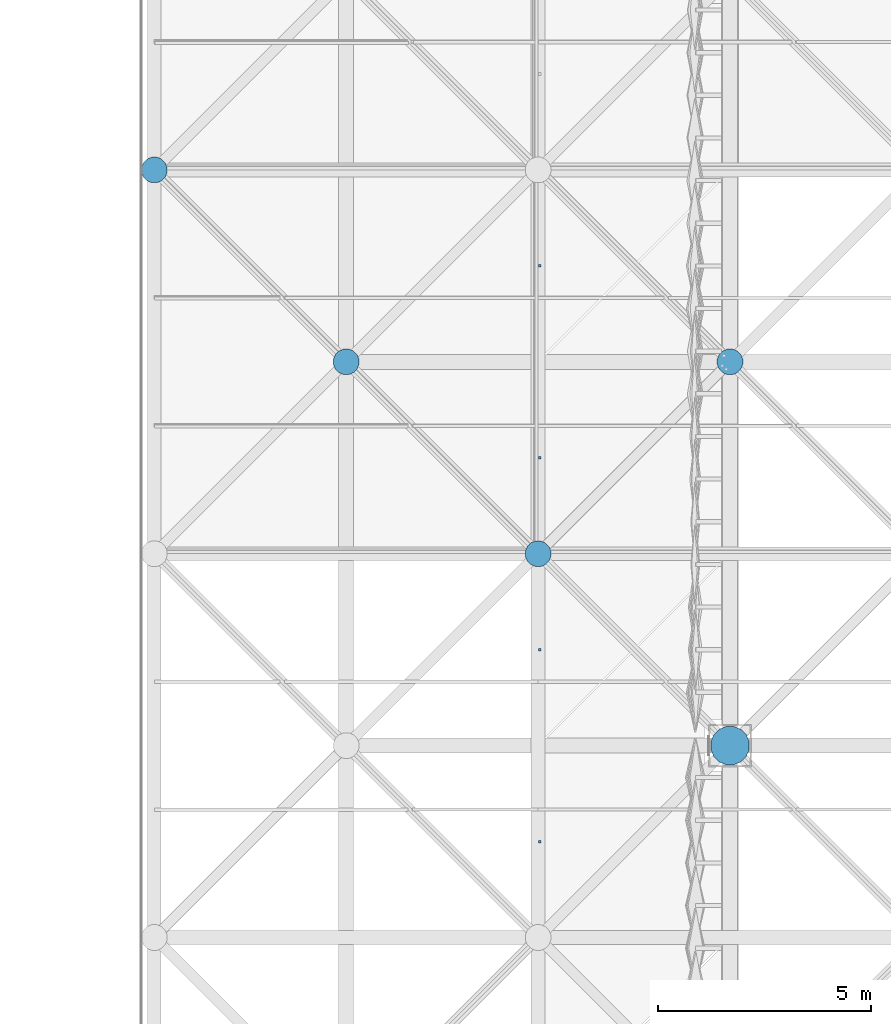
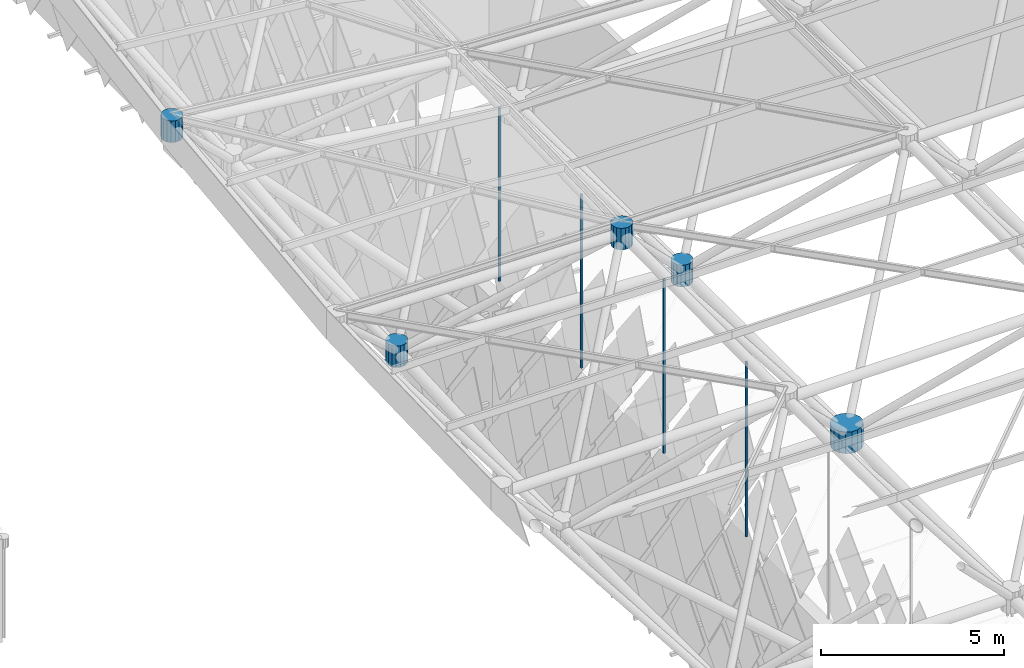
# One storey, part 294 of 437: 9 discrete accessories.
"""IFC4 building model written with IfcOpenShell, lengths in metres."""

from ifc_helpers import new_model, si_unit, direction, frame, origin, place, context, subcontext, project, spatial, polyline, outline, extrude, material, type_object, element, save


model = new_model("IFC4")

# Units and contexts
model_context = context("Model", 3, precision=1e-05, world=origin(), true_north=direction((0.0, 1.0)))
body_context = subcontext(model_context, "Body", "Model", "MODEL_VIEW")
ifc_project = project(units=[si_unit("LENGTHUNIT", "METRE"), si_unit("AREAUNIT", "SQUARE_METRE"), si_unit("VOLUMEUNIT", "CUBIC_METRE"), si_unit("PLANEANGLEUNIT", "RADIAN"), si_unit("MASSUNIT", "GRAM", prefix="KILO")], contexts=[model_context])

# Site, building, storey
site_placement = place(None, origin())
site = spatial("IfcSite", under=ifc_project, at=site_placement, CompositionType="ELEMENT")
building_placement = place(site_placement, origin())
building = spatial("IfcBuilding", under=site, at=building_placement, Name="Opaline Strait Convention Centre", CompositionType="ELEMENT")
storey_placement = place(building_placement, frame((0.0, 0.0, 11.5)))
storey = spatial("IfcBuildingStorey", under=building, at=storey_placement, Name="L02", CompositionType="ELEMENT", Elevation=11.5)

# Discrete accessories
ifc_material_1 = material(Name="Steel Q355B", Category="steel")
discrete_accessory_type_1 = type_object("IfcDiscreteAccessoryType", Name="Soffit hanger 60x60 steel", PredefinedType="BRACKET", material=ifc_material_1)
discrete_accessory_1_placement = place(storey_placement, frame((0.0, 0.0, 11.994384765625)))
element("IfcDiscreteAccessory", 1, at=discrete_accessory_1_placement, inside=storey, type_object=discrete_accessory_type_1, Name="Soffit hanger", PredefinedType="BRACKET", context=body_context, shape_type="SweptSolid", body=[
    extrude(outline(polyline([(94.5048828125, 105.719970703125), (94.56494140625, 105.719970703125), (94.56494140625, 105.780029296875), (94.5048828125, 105.780029296875), (94.5048828125, 105.719970703125)])), origin(), (0.0, 0.0, 1.0), 5.8310546875),
])
discrete_accessory_2_placement = place(storey_placement, frame((0.0, 0.0, 12.051513671875)))
element("IfcDiscreteAccessory", 2, at=discrete_accessory_2_placement, inside=storey, type_object=discrete_accessory_type_1, Name="Soffit hanger", PredefinedType="BRACKET", context=body_context, shape_type="SweptSolid", body=[
    extrude(outline(polyline([(94.5048828125, 110.219970703125), (94.56494140625, 110.219970703125), (94.56494140625, 110.280029296875), (94.5048828125, 110.280029296875), (94.5048828125, 110.219970703125)])), origin(), (0.0, 0.0, 1.0), 5.806640625),
])
discrete_accessory_3_placement = place(storey_placement, frame((0.0, 0.0, 12.163818359375)))
element("IfcDiscreteAccessory", 3, at=discrete_accessory_3_placement, inside=storey, type_object=discrete_accessory_type_1, Name="Soffit hanger", PredefinedType="BRACKET", context=body_context, shape_type="SweptSolid", body=[
    extrude(outline(polyline([(94.5048828125, 114.719970703125), (94.56494140625, 114.719970703125), (94.56494140625, 114.780029296875), (94.5048828125, 114.780029296875), (94.5048828125, 114.719970703125)])), origin(), (0.0, 0.0, 1.0), 5.794677734375),
])
discrete_accessory_4_placement = place(storey_placement, frame((0.0, 0.0, 12.32763671875)))
element("IfcDiscreteAccessory", 4, at=discrete_accessory_4_placement, inside=storey, type_object=discrete_accessory_type_1, Name="Soffit hanger", PredefinedType="BRACKET", context=body_context, shape_type="SweptSolid", body=[
    extrude(outline(polyline([(94.5048828125, 119.219970703125), (94.56494140625, 119.219970703125), (94.56494140625, 119.280029296875), (94.5048828125, 119.280029296875), (94.5048828125, 119.219970703125)])), origin(), (0.0, 0.0, 1.0), 5.799072265625),
])
ifc_material_2 = material(Name="Cast steel ZG300-500H (300 MPa)", Category="steel")
discrete_accessory_type_2 = type_object("IfcDiscreteAccessoryType", Name="Space frame bearing node hub D900", PredefinedType="USERDEFINED", material=ifc_material_2)
discrete_accessory_5_placement = place(storey_placement, frame((0.0, 0.0, 12.139892578125)))
element("IfcDiscreteAccessory", 5, at=discrete_accessory_5_placement, inside=storey, type_object=discrete_accessory_type_2, Name="Bottom node 2/8", ObjectType="NODE HUB", PredefinedType="USERDEFINED", context=body_context, shape_type="SweptSolid", body=[
    extrude(outline(polyline([(99.449951171875, 108.089599609375), (99.381591796875, 108.2548828125), (99.2548828125, 108.381591796875), (99.089599609375, 108.449951171875), (98.910400390625, 108.449951171875), (98.7451171875, 108.381591796875), (98.618408203125, 108.2548828125), (98.550048828125, 108.089599609375), (98.550048828125, 107.910400390625), (98.618408203125, 107.7451171875), (98.7451171875, 107.618408203125), (98.910400390625, 107.550048828125), (99.089599609375, 107.550048828125), (99.2548828125, 107.618408203125), (99.381591796875, 107.7451171875), (99.449951171875, 107.910400390625), (99.449951171875, 108.089599609375)])), origin(), (0.0, 0.0, 1.0), 0.72021484375),
])
discrete_accessory_type_3 = type_object("IfcDiscreteAccessoryType", Name="Space frame node hub D600", PredefinedType="USERDEFINED", material=ifc_material_2)
discrete_accessory_6_placement = place(storey_placement, frame((0.0, 0.0, 18.951416015625)))
element("IfcDiscreteAccessory", 6, at=discrete_accessory_6_placement, inside=storey, type_object=discrete_accessory_type_3, Name="Top node 1/10", ObjectType="NODE HUB", PredefinedType="USERDEFINED", context=body_context, shape_type="SweptSolid", body=[
    extrude(outline(polyline([(85.800048828125, 121.559814453125), (85.75439453125, 121.669921875), (85.669921875, 121.75439453125), (85.559814453125, 121.800048828125), (85.440185546875, 121.800048828125), (85.330078125, 121.75439453125), (85.24560546875, 121.669921875), (85.199951171875, 121.559814453125), (85.199951171875, 121.440185546875), (85.24560546875, 121.330078125), (85.330078125, 121.24560546875), (85.440185546875, 121.199951171875), (85.559814453125, 121.199951171875), (85.669921875, 121.24560546875), (85.75439453125, 121.330078125), (85.800048828125, 121.440185546875), (85.800048828125, 121.559814453125)])), origin(), (0.0, 0.0, 1.0), 0.719970703125),
])
discrete_accessory_7_placement = place(storey_placement, frame((0.0, 0.0, 17.677001953125)))
element("IfcDiscreteAccessory", 7, at=discrete_accessory_7_placement, inside=storey, type_object=discrete_accessory_type_3, Name="Top node 2/9", ObjectType="NODE HUB", PredefinedType="USERDEFINED", context=body_context, shape_type="SweptSolid", body=[
    extrude(outline(polyline([(94.800048828125, 112.559814453125), (94.75439453125, 112.669921875), (94.669921875, 112.75439453125), (94.559814453125, 112.800048828125), (94.440185546875, 112.800048828125), (94.330078125, 112.75439453125), (94.24560546875, 112.669921875), (94.199951171875, 112.559814453125), (94.199951171875, 112.440185546875), (94.24560546875, 112.330078125), (94.330078125, 112.24560546875), (94.440185546875, 112.199951171875), (94.559814453125, 112.199951171875), (94.669921875, 112.24560546875), (94.75439453125, 112.330078125), (94.800048828125, 112.440185546875), (94.800048828125, 112.559814453125)])), origin(), (0.0, 0.0, 1.0), 0.719970703125),
])
discrete_accessory_8_placement = place(storey_placement, frame((0.0, 0.0, 12.599365234375)))
element("IfcDiscreteAccessory", 8, at=discrete_accessory_8_placement, inside=storey, type_object=discrete_accessory_type_3, Name="Bottom node 1/9", ObjectType="NODE HUB", PredefinedType="USERDEFINED", context=body_context, shape_type="SweptSolid", body=[
    extrude(outline(polyline([(90.300048828125, 117.059814453125), (90.25439453125, 117.169921875), (90.169921875, 117.25439453125), (90.059814453125, 117.300048828125), (89.940185546875, 117.300048828125), (89.830078125, 117.25439453125), (89.74560546875, 117.169921875), (89.699951171875, 117.059814453125), (89.699951171875, 116.940185546875), (89.74560546875, 116.830078125), (89.830078125, 116.74560546875), (89.940185546875, 116.699951171875), (90.059814453125, 116.699951171875), (90.169921875, 116.74560546875), (90.25439453125, 116.830078125), (90.300048828125, 116.940185546875), (90.300048828125, 117.059814453125)])), origin(), (0.0, 0.0, 1.0), 0.719970703125),
])
discrete_accessory_9_placement = place(storey_placement, frame((0.0, 0.0, 12.139892578125)))
element("IfcDiscreteAccessory", 9, at=discrete_accessory_9_placement, inside=storey, type_object=discrete_accessory_type_3, Name="Bottom node 2/9", ObjectType="NODE HUB", PredefinedType="USERDEFINED", context=body_context, shape_type="SweptSolid", body=[
    extrude(outline(polyline([(99.300048828125, 117.059814453125), (99.25439453125, 117.169921875), (99.169921875, 117.25439453125), (99.059814453125, 117.300048828125), (98.940185546875, 117.300048828125), (98.830078125, 117.25439453125), (98.74560546875, 117.169921875), (98.699951171875, 117.059814453125), (98.699951171875, 116.940185546875), (98.74560546875, 116.830078125), (98.830078125, 116.74560546875), (98.940185546875, 116.699951171875), (99.059814453125, 116.699951171875), (99.169921875, 116.74560546875), (99.25439453125, 116.830078125), (99.300048828125, 116.940185546875), (99.300048828125, 117.059814453125)])), origin(), (0.0, 0.0, 1.0), 0.72021484375),
])

save(model, "model.ifc")
